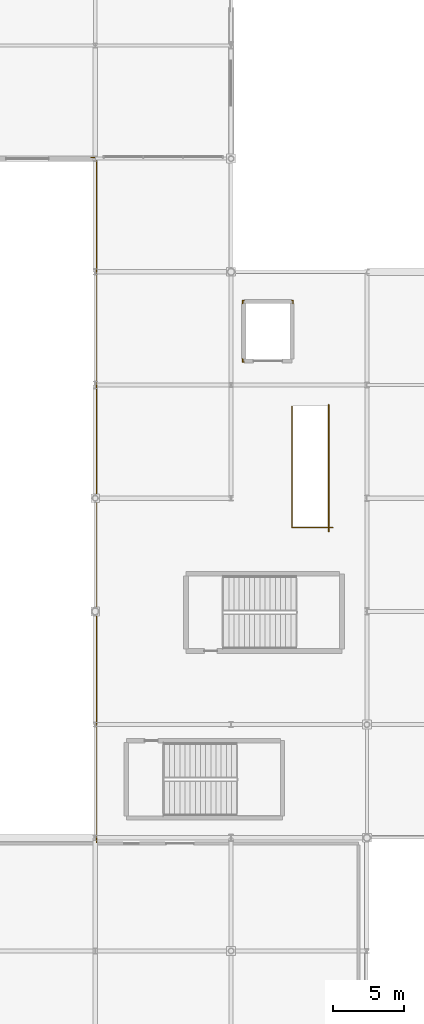
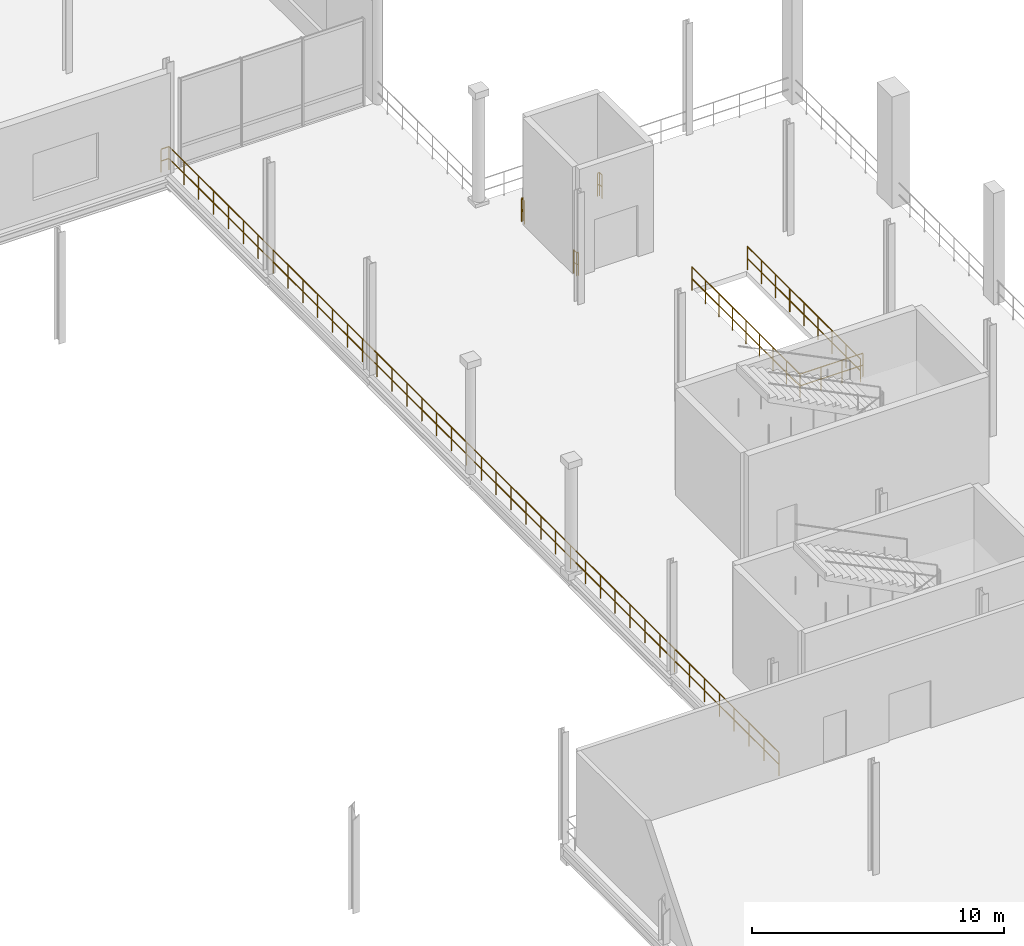
# One storey, part 125 of 129: 6 railings.
"""IFC4 building model written with IfcOpenShell, lengths in metres."""

from ifc_helpers import new_model, si_unit, direction, frame, origin, origin_2d, place, context, subcontext, project, spatial, circle, extrude, material, type_object, element, save


model = new_model("IFC4")

# Units and contexts
model_context = context("Model", 3, precision=1e-05, world=origin(), true_north=direction((0.0, 1.0)))
body_context = subcontext(model_context, "Body", "Model", "MODEL_VIEW")
ifc_project = project(units=[si_unit("LENGTHUNIT", "METRE"), si_unit("AREAUNIT", "SQUARE_METRE"), si_unit("VOLUMEUNIT", "CUBIC_METRE"), si_unit("PLANEANGLEUNIT", "RADIAN"), si_unit("MASSUNIT", "GRAM", prefix="KILO")], contexts=[model_context])

# Site, building, storey
site_placement = place(None, origin())
site = spatial("IfcSite", under=ifc_project, at=site_placement, CompositionType="ELEMENT")
building_placement = place(site_placement, origin())
building = spatial("IfcBuilding", under=site, at=building_placement, Name="Danafjord Basin Convention Centre", CompositionType="ELEMENT")
storey_placement = place(building_placement, frame((0.0, 0.0, 6.0)))
storey = spatial("IfcBuildingStorey", under=building, at=storey_placement, Name="L01", CompositionType="ELEMENT", Elevation=6.0)

# Railings
ifc_material_1 = material(Name="Laminated structural glass and stainless steel", Category="steel")
railing_type_1 = type_object("IfcRailingType", Name="RL-BAL-GLS", PredefinedType="BALUSTRADE", material=ifc_material_1)
railing_1_placement = place(storey_placement, frame((205.89501953125, 70.485107421875, 0.0)))
element("IfcRailing", 1, at=railing_1_placement, inside=storey, type_object=railing_type_1, Name="L01 safety guard balustrade 64", PredefinedType="BALUSTRADE", context=body_context, shape_type="SweptSolid", body=[
    extrude(circle(Radius=0.02392578125, at=origin_2d()), frame((0.0, 0.0, 1.1259765625), z_axis=(0.0, -1.0, 0.0), x_axis=(1.0, 0.0, 0.0)), (0.0, 0.0, 1.0), 8.565185546875),
    extrude(circle(Radius=0.02392578125, at=origin_2d()), frame((0.0, 0.0, 0.55078125), z_axis=(0.0, -1.0, 0.0), x_axis=(1.0, 0.0, 0.0)), (0.0, 0.0, 1.0), 8.565185546875),
    extrude(circle(Radius=0.02392578125, at=origin_2d()), frame((0.0, -8.565185546875, 1.1259765625), z_axis=(1.0, 0.0, 0.0), x_axis=(0.0, 1.0, 0.0)), (0.0, 0.0, 1.0), 2.889892578125),
    extrude(circle(Radius=0.02392578125, at=origin_2d()), frame((0.0, -8.565185546875, 0.55078125), z_axis=(1.0, 0.0, 0.0), x_axis=(0.0, 1.0, 0.0)), (0.0, 0.0, 1.0), 2.889892578125),
    extrude(circle(Radius=0.02099609375, at=origin_2d()), origin(), (0.0, 0.0, 1.0), 1.099853515625),
    extrude(circle(Radius=0.02099609375, at=origin_2d()), frame((0.0, -1.070556640625, 0.0)), (0.0, 0.0, 1.0), 1.099853515625),
    extrude(circle(Radius=0.02099609375, at=origin_2d()), frame((0.0, -2.141357421875, 0.0)), (0.0, 0.0, 1.0), 1.099853515625),
    extrude(circle(Radius=0.02099609375, at=origin_2d()), frame((0.0, -3.2119140625, 0.0)), (0.0, 0.0, 1.0), 1.099853515625),
    extrude(circle(Radius=0.02099609375, at=origin_2d()), frame((0.0, -4.28271484375, 0.0)), (0.0, 0.0, 1.0), 1.099853515625),
    extrude(circle(Radius=0.02099609375, at=origin_2d()), frame((0.0, -5.353271484375, 0.0)), (0.0, 0.0, 1.0), 1.099853515625),
    extrude(circle(Radius=0.02099609375, at=origin_2d()), frame((0.0, -6.423828125, 0.0)), (0.0, 0.0, 1.0), 1.099853515625),
    extrude(circle(Radius=0.02099609375, at=origin_2d()), frame((0.0, -7.49462890625, 0.0)), (0.0, 0.0, 1.0), 1.099853515625),
    extrude(circle(Radius=0.02099609375, at=origin_2d()), frame((0.0, -8.565185546875, 0.0)), (0.0, 0.0, 1.0), 1.099853515625),
    extrude(circle(Radius=0.02099609375, at=origin_2d()), frame((0.96337890625, -8.565185546875, 0.0)), (0.0, 0.0, 1.0), 1.099853515625),
    extrude(circle(Radius=0.02099609375, at=origin_2d()), frame((1.926513671875, -8.565185546875, 0.0)), (0.0, 0.0, 1.0), 1.099853515625),
    extrude(circle(Radius=0.02099609375, at=origin_2d()), frame((2.889892578125, -8.565185546875, 0.0)), (0.0, 0.0, 1.0), 1.099853515625),
])
railing_2_placement = place(storey_placement, frame((202.5, 77.97998046875, 0.0)))
element("IfcRailing", 2, at=railing_2_placement, inside=storey, type_object=railing_type_1, Name="L01 safety guard balustrade 66", PredefinedType="BALUSTRADE", context=body_context, shape_type="SweptSolid", body=[
    extrude(circle(Radius=0.02392578125, at=origin_2d()), frame((0.0, 0.0, 1.1259765625), z_axis=(-1.0, 0.0, 0.0), x_axis=(0.0, -1.0, 0.0)), (0.0, 0.0, 1.0), 0.080078125),
    extrude(circle(Radius=0.02392578125, at=origin_2d()), frame((0.0, 0.0, 0.55078125), z_axis=(-1.0, 0.0, 0.0), x_axis=(0.0, -1.0, 0.0)), (0.0, 0.0, 1.0), 0.080078125),
    extrude(circle(Radius=0.02392578125, at=origin_2d()), frame((-0.080078125, 0.0, 1.1259765625), z_axis=(0.0, -1.0, 0.0), x_axis=(1.0, 0.0, 0.0)), (0.0, 0.0, 1.0), 0.215087890625),
    extrude(circle(Radius=0.02392578125, at=origin_2d()), frame((-0.080078125, 0.0, 0.55078125), z_axis=(0.0, -1.0, 0.0), x_axis=(1.0, 0.0, 0.0)), (0.0, 0.0, 1.0), 0.215087890625),
    extrude(circle(Radius=0.02099609375, at=origin_2d()), origin(), (0.0, 0.0, 1.0), 1.099853515625),
    extrude(circle(Radius=0.02099609375, at=origin_2d()), frame((-0.080078125, 0.0, 0.0)), (0.0, 0.0, 1.0), 1.099853515625),
    extrude(circle(Radius=0.02099609375, at=origin_2d()), frame((-0.080078125, -0.215087890625, 0.0)), (0.0, 0.0, 1.0), 1.099853515625),
])
ifc_material_2 = material(Name="Galvanised and powder-coated steel S355", Category="steel")
railing_type_2 = type_object("IfcRailingType", Name="RL-BAL-STL", PredefinedType="BALUSTRADE", material=ifc_material_2)
railing_3_placement = place(storey_placement, frame((192.080078125, 39.6630859375, 0.0)))
element("IfcRailing", 3, at=railing_3_placement, inside=storey, type_object=railing_type_2, Name="L01 safety guard balustrade 23", PredefinedType="BALUSTRADE", context=body_context, shape_type="SweptSolid", body=[
    extrude(circle(Radius=0.02392578125, at=origin_2d()), frame((0.0, 0.0, 1.1259765625), z_axis=(0.0, 1.0, 0.0), x_axis=(-1.0, 0.0, 0.0)), (0.0, 0.0, 1.0), 48.4169921875),
    extrude(circle(Radius=0.02392578125, at=origin_2d()), frame((0.0, 0.0, 0.55078125), z_axis=(0.0, 1.0, 0.0), x_axis=(-1.0, 0.0, 0.0)), (0.0, 0.0, 1.0), 48.4169921875),
    extrude(circle(Radius=0.02392578125, at=origin_2d()), frame((0.0, 48.4169921875, 1.1259765625), z_axis=(-1.0, 0.0, 0.0), x_axis=(0.0, -1.0, 0.0)), (0.0, 0.0, 1.0), 0.360107421875),
    extrude(circle(Radius=0.02392578125, at=origin_2d()), frame((0.0, 48.4169921875, 0.55078125), z_axis=(-1.0, 0.0, 0.0), x_axis=(0.0, -1.0, 0.0)), (0.0, 0.0, 1.0), 0.360107421875),
    extrude(circle(Radius=0.02099609375, at=origin_2d()), origin(), (0.0, 0.0, 1.0), 1.099853515625),
    extrude(circle(Radius=0.02099609375, at=origin_2d()), frame((0.0, 1.180908203125, 0.0)), (0.0, 0.0, 1.0), 1.099853515625),
    extrude(circle(Radius=0.02099609375, at=origin_2d()), frame((0.0, 2.36181640625, 0.0)), (0.0, 0.0, 1.0), 1.099853515625),
    extrude(circle(Radius=0.02099609375, at=origin_2d()), frame((0.0, 3.542724609375, 0.0)), (0.0, 0.0, 1.0), 1.099853515625),
    extrude(circle(Radius=0.02099609375, at=origin_2d()), frame((0.0, 4.7236328125, 0.0)), (0.0, 0.0, 1.0), 1.099853515625),
    extrude(circle(Radius=0.02099609375, at=origin_2d()), frame((0.0, 5.904541015625, 0.0)), (0.0, 0.0, 1.0), 1.099853515625),
    extrude(circle(Radius=0.02099609375, at=origin_2d()), frame((0.0, 7.08544921875, 0.0)), (0.0, 0.0, 1.0), 1.099853515625),
    extrude(circle(Radius=0.02099609375, at=origin_2d()), frame((0.0, 8.266357421875, 0.0)), (0.0, 0.0, 1.0), 1.099853515625),
    extrude(circle(Radius=0.02099609375, at=origin_2d()), frame((0.0, 9.447265625, 0.0)), (0.0, 0.0, 1.0), 1.099853515625),
    extrude(circle(Radius=0.02099609375, at=origin_2d()), frame((0.0, 10.628173828125, 0.0)), (0.0, 0.0, 1.0), 1.099853515625),
    extrude(circle(Radius=0.02099609375, at=origin_2d()), frame((0.0, 11.80908203125, 0.0)), (0.0, 0.0, 1.0), 1.099853515625),
    extrude(circle(Radius=0.02099609375, at=origin_2d()), frame((0.0, 12.989990234375, 0.0)), (0.0, 0.0, 1.0), 1.099853515625),
    extrude(circle(Radius=0.02099609375, at=origin_2d()), frame((0.0, 14.1708984375, 0.0)), (0.0, 0.0, 1.0), 1.099853515625),
    extrude(circle(Radius=0.02099609375, at=origin_2d()), frame((0.0, 15.351806640625, 0.0)), (0.0, 0.0, 1.0), 1.099853515625),
    extrude(circle(Radius=0.02099609375, at=origin_2d()), frame((0.0, 16.53271484375, 0.0)), (0.0, 0.0, 1.0), 1.099853515625),
    extrude(circle(Radius=0.02099609375, at=origin_2d()), frame((0.0, 17.713623046875, 0.0)), (0.0, 0.0, 1.0), 1.099853515625),
    extrude(circle(Radius=0.02099609375, at=origin_2d()), frame((0.0, 18.89453125, 0.0)), (0.0, 0.0, 1.0), 1.099853515625),
    extrude(circle(Radius=0.02099609375, at=origin_2d()), frame((0.0, 20.075439453125, 0.0)), (0.0, 0.0, 1.0), 1.099853515625),
    extrude(circle(Radius=0.02099609375, at=origin_2d()), frame((0.0, 21.25634765625, 0.0)), (0.0, 0.0, 1.0), 1.099853515625),
    extrude(circle(Radius=0.02099609375, at=origin_2d()), frame((0.0, 22.437255859375, 0.0)), (0.0, 0.0, 1.0), 1.099853515625),
    extrude(circle(Radius=0.02099609375, at=origin_2d()), frame((0.0, 23.6181640625, 0.0)), (0.0, 0.0, 1.0), 1.099853515625),
    extrude(circle(Radius=0.02099609375, at=origin_2d()), frame((0.0, 24.798828125, 0.0)), (0.0, 0.0, 1.0), 1.099853515625),
    extrude(circle(Radius=0.02099609375, at=origin_2d()), frame((0.0, 25.979736328125, 0.0)), (0.0, 0.0, 1.0), 1.099853515625),
    extrude(circle(Radius=0.02099609375, at=origin_2d()), frame((0.0, 27.16064453125, 0.0)), (0.0, 0.0, 1.0), 1.099853515625),
    extrude(circle(Radius=0.02099609375, at=origin_2d()), frame((0.0, 28.341552734375, 0.0)), (0.0, 0.0, 1.0), 1.099853515625),
    extrude(circle(Radius=0.02099609375, at=origin_2d()), frame((0.0, 29.5224609375, 0.0)), (0.0, 0.0, 1.0), 1.099853515625),
    extrude(circle(Radius=0.02099609375, at=origin_2d()), frame((0.0, 30.703369140625, 0.0)), (0.0, 0.0, 1.0), 1.099853515625),
    extrude(circle(Radius=0.02099609375, at=origin_2d()), frame((0.0, 31.88427734375, 0.0)), (0.0, 0.0, 1.0), 1.099853515625),
    extrude(circle(Radius=0.02099609375, at=origin_2d()), frame((0.0, 33.065185546875, 0.0)), (0.0, 0.0, 1.0), 1.099853515625),
    extrude(circle(Radius=0.02099609375, at=origin_2d()), frame((0.0, 34.24609375, 0.0)), (0.0, 0.0, 1.0), 1.099853515625),
    extrude(circle(Radius=0.02099609375, at=origin_2d()), frame((0.0, 35.427001953125, 0.0)), (0.0, 0.0, 1.0), 1.099853515625),
    extrude(circle(Radius=0.02099609375, at=origin_2d()), frame((0.0, 36.60791015625, 0.0)), (0.0, 0.0, 1.0), 1.099853515625),
    extrude(circle(Radius=0.02099609375, at=origin_2d()), frame((0.0, 37.788818359375, 0.0)), (0.0, 0.0, 1.0), 1.099853515625),
    extrude(circle(Radius=0.02099609375, at=origin_2d()), frame((0.0, 38.9697265625, 0.0)), (0.0, 0.0, 1.0), 1.099853515625),
    extrude(circle(Radius=0.02099609375, at=origin_2d()), frame((0.0, 40.150634765625, 0.0)), (0.0, 0.0, 1.0), 1.099853515625),
    extrude(circle(Radius=0.02099609375, at=origin_2d()), frame((0.0, 41.33154296875, 0.0)), (0.0, 0.0, 1.0), 1.099853515625),
    extrude(circle(Radius=0.02099609375, at=origin_2d()), frame((0.0, 42.512451171875, 0.0)), (0.0, 0.0, 1.0), 1.099853515625),
    extrude(circle(Radius=0.02099609375, at=origin_2d()), frame((0.0, 43.693359375, 0.0)), (0.0, 0.0, 1.0), 1.099853515625),
    extrude(circle(Radius=0.02099609375, at=origin_2d()), frame((0.0, 44.874267578125, 0.0)), (0.0, 0.0, 1.0), 1.099853515625),
    extrude(circle(Radius=0.02099609375, at=origin_2d()), frame((0.0, 46.05517578125, 0.0)), (0.0, 0.0, 1.0), 1.099853515625),
    extrude(circle(Radius=0.02099609375, at=origin_2d()), frame((0.0, 47.236083984375, 0.0)), (0.0, 0.0, 1.0), 1.099853515625),
    extrude(circle(Radius=0.02099609375, at=origin_2d()), frame((0.0, 48.4169921875, 0.0)), (0.0, 0.0, 1.0), 1.099853515625),
    extrude(circle(Radius=0.02099609375, at=origin_2d()), frame((-0.360107421875, 48.4169921875, 0.0)), (0.0, 0.0, 1.0), 1.099853515625),
])
railing_4_placement = place(storey_placement, frame((208.5048828125, 61.639892578125, 0.0)))
element("IfcRailing", 4, at=railing_4_placement, inside=storey, type_object=railing_type_2, Name="L01 safety guard balustrade 63", PredefinedType="BALUSTRADE", context=body_context, shape_type="SweptSolid", body=[
    extrude(circle(Radius=0.02392578125, at=origin_2d()), frame((0.0, 0.0, 1.1259765625), z_axis=(0.0, 1.0, 0.0), x_axis=(-1.0, 0.0, 0.0)), (0.0, 0.0, 1.0), 8.965087890625),
    extrude(circle(Radius=0.02392578125, at=origin_2d()), frame((0.0, 0.0, 0.55078125), z_axis=(0.0, 1.0, 0.0), x_axis=(-1.0, 0.0, 0.0)), (0.0, 0.0, 1.0), 8.965087890625),
    extrude(circle(Radius=0.02099609375, at=origin_2d()), origin(), (0.0, 0.0, 1.0), 1.099853515625),
    extrude(circle(Radius=0.02099609375, at=origin_2d()), frame((0.0, 1.12060546875, 0.0)), (0.0, 0.0, 1.0), 1.099853515625),
    extrude(circle(Radius=0.02099609375, at=origin_2d()), frame((0.0, 2.2412109375, 0.0)), (0.0, 0.0, 1.0), 1.099853515625),
    extrude(circle(Radius=0.02099609375, at=origin_2d()), frame((0.0, 3.36181640625, 0.0)), (0.0, 0.0, 1.0), 1.099853515625),
    extrude(circle(Radius=0.02099609375, at=origin_2d()), frame((0.0, 4.482421875, 0.0)), (0.0, 0.0, 1.0), 1.099853515625),
    extrude(circle(Radius=0.02099609375, at=origin_2d()), frame((0.0, 5.603271484375, 0.0)), (0.0, 0.0, 1.0), 1.099853515625),
    extrude(circle(Radius=0.02099609375, at=origin_2d()), frame((0.0, 6.723876953125, 0.0)), (0.0, 0.0, 1.0), 1.099853515625),
    extrude(circle(Radius=0.02099609375, at=origin_2d()), frame((0.0, 7.844482421875, 0.0)), (0.0, 0.0, 1.0), 1.099853515625),
    extrude(circle(Radius=0.02099609375, at=origin_2d()), frame((0.0, 8.965087890625, 0.0)), (0.0, 0.0, 1.0), 1.099853515625),
])
railing_5_placement = place(storey_placement, frame((205.97998046875, 77.764892578125, 0.0)))
element("IfcRailing", 5, at=railing_5_placement, inside=storey, type_object=railing_type_2, Name="L01 safety guard balustrade 65", PredefinedType="BALUSTRADE", context=body_context, shape_type="SweptSolid", body=[
    extrude(circle(Radius=0.02392578125, at=origin_2d()), frame((0.0, 0.0, 1.1259765625), z_axis=(0.0, 1.0, 0.0), x_axis=(-1.0, 0.0, 0.0)), (0.0, 0.0, 1.0), 0.215087890625),
    extrude(circle(Radius=0.02392578125, at=origin_2d()), frame((0.0, 0.0, 0.55078125), z_axis=(0.0, 1.0, 0.0), x_axis=(-1.0, 0.0, 0.0)), (0.0, 0.0, 1.0), 0.215087890625),
    extrude(circle(Radius=0.02392578125, at=origin_2d()), frame((0.0, 0.215087890625, 1.1259765625), z_axis=(-1.0, 0.0, 0.0), x_axis=(0.0, -1.0, 0.0)), (0.0, 0.0, 1.0), 0.080078125),
    extrude(circle(Radius=0.02392578125, at=origin_2d()), frame((0.0, 0.215087890625, 0.55078125), z_axis=(-1.0, 0.0, 0.0), x_axis=(0.0, -1.0, 0.0)), (0.0, 0.0, 1.0), 0.080078125),
    extrude(circle(Radius=0.02099609375, at=origin_2d()), origin(), (0.0, 0.0, 1.0), 1.099853515625),
    extrude(circle(Radius=0.02099609375, at=origin_2d()), frame((0.0, 0.215087890625, 0.0)), (0.0, 0.0, 1.0), 1.099853515625),
    extrude(circle(Radius=0.02099609375, at=origin_2d()), frame((-0.080078125, 0.215087890625, 0.0)), (0.0, 0.0, 1.0), 1.099853515625),
])
railing_6_placement = place(storey_placement, frame((202.419921875, 73.8349609375, 0.0)))
element("IfcRailing", 6, at=railing_6_placement, inside=storey, type_object=railing_type_2, Name="L01 safety guard balustrade 67", PredefinedType="BALUSTRADE", context=body_context, shape_type="SweptSolid", body=[
    extrude(circle(Radius=0.02392578125, at=origin_2d()), frame((0.0, 0.0, 1.1259765625), z_axis=(0.0, -1.0, 0.0), x_axis=(1.0, 0.0, 0.0)), (0.0, 0.0, 1.0), 0.21484375),
    extrude(circle(Radius=0.02392578125, at=origin_2d()), frame((0.0, 0.0, 0.55078125), z_axis=(0.0, -1.0, 0.0), x_axis=(1.0, 0.0, 0.0)), (0.0, 0.0, 1.0), 0.21484375),
    extrude(circle(Radius=0.02392578125, at=origin_2d()), frame((0.0, -0.21484375, 1.1259765625), z_axis=(1.0, 0.0, 0.0), x_axis=(0.0, 1.0, 0.0)), (0.0, 0.0, 1.0), 0.080078125),
    extrude(circle(Radius=0.02392578125, at=origin_2d()), frame((0.0, -0.21484375, 0.55078125), z_axis=(1.0, 0.0, 0.0), x_axis=(0.0, 1.0, 0.0)), (0.0, 0.0, 1.0), 0.080078125),
    extrude(circle(Radius=0.02099609375, at=origin_2d()), origin(), (0.0, 0.0, 1.0), 1.099853515625),
    extrude(circle(Radius=0.02099609375, at=origin_2d()), frame((0.0, -0.21484375, 0.0)), (0.0, 0.0, 1.0), 1.099853515625),
    extrude(circle(Radius=0.02099609375, at=origin_2d()), frame((0.080078125, -0.21484375, 0.0)), (0.0, 0.0, 1.0), 1.099853515625),
])

save(model, "model.ifc")
